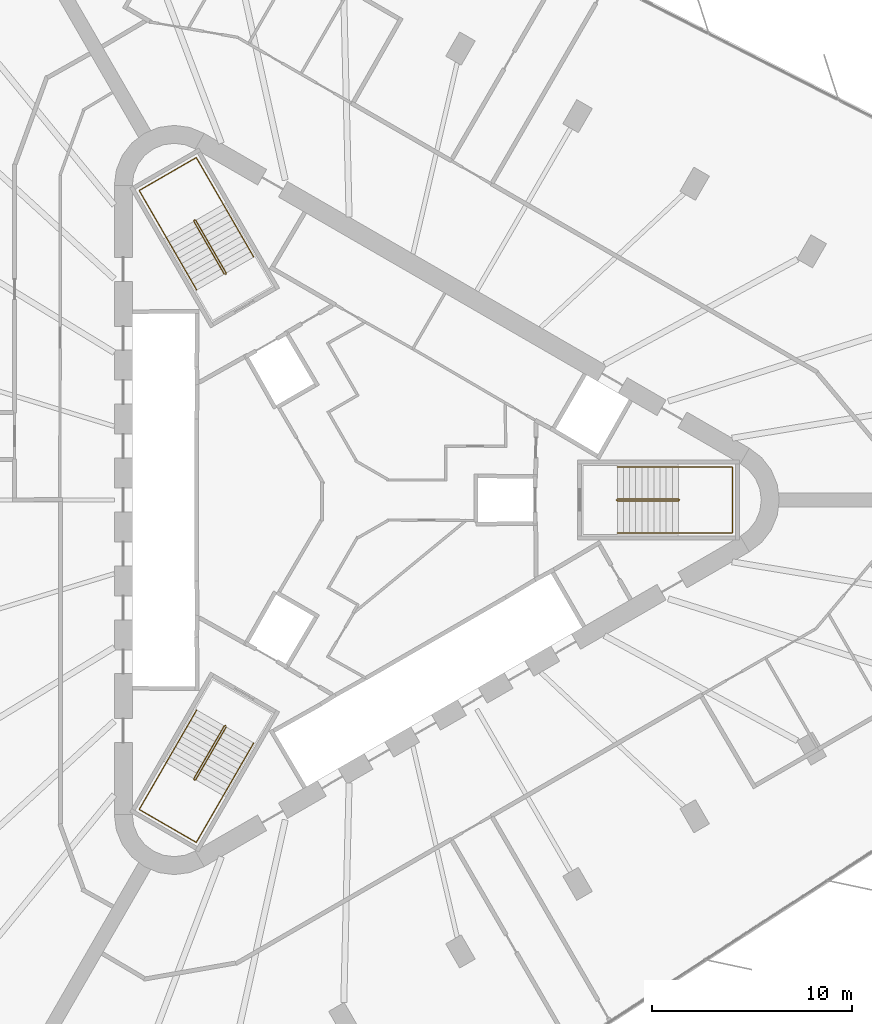
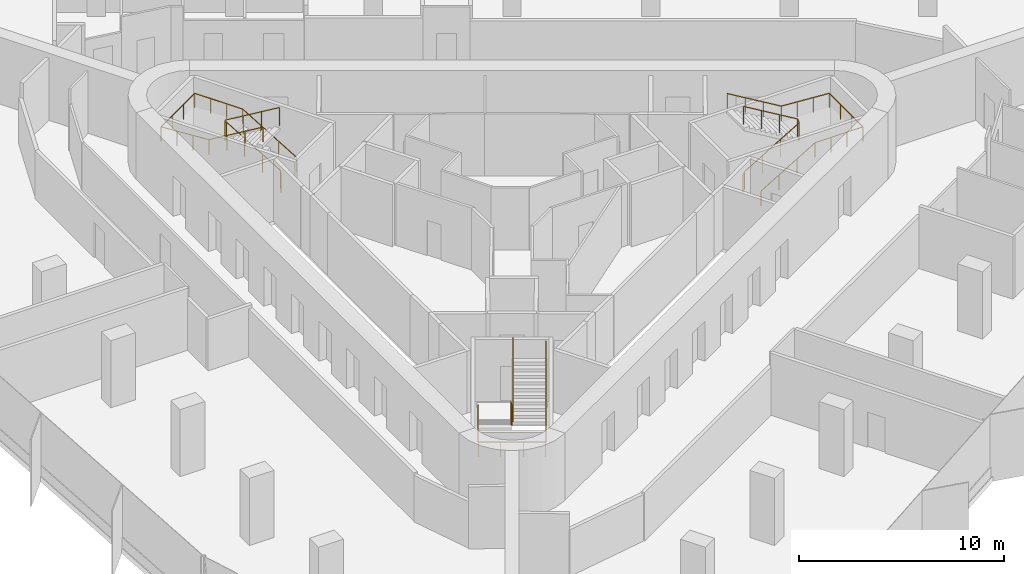
# One storey, part 14 of 14: 6 railings.
"""IFC4 building model written with IfcOpenShell, lengths in metres."""

from ifc_helpers import new_model, si_unit, direction, frame, origin, origin_2d, place, context, subcontext, project, spatial, circle, extrude, material, type_object, element, save


model = new_model("IFC4")

# Units and contexts
model_context = context("Model", 3, precision=1e-05, world=origin(), true_north=direction((0.0, 1.0)))
body_context = subcontext(model_context, "Body", "Model", "MODEL_VIEW")
ifc_project = project(units=[si_unit("LENGTHUNIT", "METRE"), si_unit("AREAUNIT", "SQUARE_METRE"), si_unit("VOLUMEUNIT", "CUBIC_METRE"), si_unit("PLANEANGLEUNIT", "RADIAN"), si_unit("MASSUNIT", "GRAM", prefix="KILO")], contexts=[model_context])

# Site, building, storey
site_placement = place(None, origin())
site = spatial("IfcSite", under=ifc_project, at=site_placement, CompositionType="ELEMENT")
building_placement = place(site_placement, origin())
building = spatial("IfcBuilding", under=site, at=building_placement, Name="Tanit Gate Tower", CompositionType="ELEMENT")
storey_placement = place(building_placement, frame((0.0, 0.0, 213.199951171875)))
storey = spatial("IfcBuildingStorey", under=building, at=storey_placement, Name="L47", CompositionType="ELEMENT", Elevation=213.199951171875)

# Railings
ifc_material_1 = material(Name="Stainless steel balustrade", Category="steel")
railing_type_1 = type_object("IfcRailingType", Name="INT-STAIR-GUARD", PredefinedType="GUARDRAIL", material=ifc_material_1)
railing_1_placement = place(storey_placement, frame((13.044921875, 0.0048828125, 0.0)))
element("IfcRailing", 1, at=railing_1_placement, inside=storey, type_object=railing_type_1, Name="L47 S1 stair guard 1", PredefinedType="GUARDRAIL", context=body_context, shape_type="SweptSolid", body=[
    extrude(circle(Radius=0.02392578125, at=origin_2d()), frame((0.0, 0.0, 1.076171875), z_axis=(0.0, -1.0, 0.0), x_axis=(1.0, 0.0, 0.0)), (0.0, 0.0, 1.0), 0.009765625),
    extrude(circle(Radius=0.02392578125, at=origin_2d()), frame((0.0, -0.009765625, 1.076171875), z_axis=(0.256435381639, -0.256435381639, 0.931923704005), x_axis=(0.707106781187, 0.707106781187, 0.0)), (0.0, 0.0, 1.0), 0.195068359375),
    extrude(circle(Radius=0.02392578125, at=origin_2d()), frame((0.050048828125, -0.059814453125, 1.2578125), z_axis=(0.859041732319, 0.0, 0.511905559781), x_axis=(0.0, 1.0, 0.0)), (0.0, 0.0, 1.0), 3.5517578125),
    extrude(circle(Radius=0.02392578125, at=origin_2d()), frame((3.10107421875, -0.059814453125, 3.076171875), z_axis=(0.707106781187, 0.707106781187, 0.0), x_axis=(-0.707106781187, 0.707106781187, 0.0)), (0.0, 0.0, 1.0), 0.07080078125),
    extrude(circle(Radius=0.02392578125, at=origin_2d()), frame((3.151123046875, -0.009765625, 3.076171875), z_axis=(0.0, 1.0, 0.0), x_axis=(-1.0, 0.0, 0.0)), (0.0, 0.0, 1.0), 0.009765625),
    extrude(circle(Radius=0.02392578125, at=origin_2d()), frame((3.151123046875, 0.0, 3.076171875), z_axis=(-0.256435381639, 0.256435381639, 0.931923704005), x_axis=(-0.707106781187, -0.707106781187, 0.0)), (0.0, 0.0, 1.0), 0.195068359375),
    extrude(circle(Radius=0.02392578125, at=origin_2d()), frame((3.10107421875, 0.050048828125, 3.2578125), z_axis=(-0.859041732319, 0.0, 0.511905559781), x_axis=(0.0, -1.0, 0.0)), (0.0, 0.0, 1.0), 3.5517578125),
    extrude(circle(Radius=0.02099609375, at=origin_2d()), origin(), (0.0, 0.0, 1.0), 1.052001953125),
    extrude(circle(Radius=0.02099609375, at=origin_2d()), frame((0.0, -0.009765625, 0.0)), (0.0, 0.0, 1.0), 1.052001953125),
    extrude(circle(Radius=0.02099609375, at=origin_2d()), frame((0.050048828125, -0.059814453125, 0.181884765625)), (0.0, 0.0, 1.0), 1.052001953125),
    extrude(circle(Radius=0.02099609375, at=origin_2d()), frame((1.067138671875, -0.059814453125, 0.787841796875)), (0.0, 0.0, 1.0), 1.052001953125),
    extrude(circle(Radius=0.02099609375, at=origin_2d()), frame((2.083984375, -0.059814453125, 1.39404296875)), (0.0, 0.0, 1.0), 1.052001953125),
    extrude(circle(Radius=0.02099609375, at=origin_2d()), frame((3.10107421875, -0.059814453125, 2.0)), (0.0, 0.0, 1.0), 1.052001953125),
    extrude(circle(Radius=0.02099609375, at=origin_2d()), frame((3.151123046875, -0.009765625, 2.0)), (0.0, 0.0, 1.0), 1.052001953125),
    extrude(circle(Radius=0.02099609375, at=origin_2d()), frame((3.151123046875, 0.0, 2.0)), (0.0, 0.0, 1.0), 1.052001953125),
    extrude(circle(Radius=0.02099609375, at=origin_2d()), frame((3.10107421875, 0.050048828125, 2.181884765625)), (0.0, 0.0, 1.0), 1.052001953125),
    extrude(circle(Radius=0.02099609375, at=origin_2d()), frame((2.083984375, 0.050048828125, 2.787841796875)), (0.0, 0.0, 1.0), 1.052001953125),
    extrude(circle(Radius=0.02099609375, at=origin_2d()), frame((1.067138671875, 0.050048828125, 3.39404296875)), (0.0, 0.0, 1.0), 1.052001953125),
    extrude(circle(Radius=0.02099609375, at=origin_2d()), frame((0.050048828125, 0.050048828125, 4.0)), (0.0, 0.0, 1.0), 1.052001953125),
])
railing_2_placement = place(storey_placement, frame((-6.527099609375, 11.29345703125, 0.0)))
element("IfcRailing", 2, at=railing_2_placement, inside=storey, type_object=railing_type_1, Name="L47 S2 stair guard 1", PredefinedType="GUARDRAIL", context=body_context, shape_type="SweptSolid", body=[
    extrude(circle(Radius=0.02392578125, at=origin_2d()), frame((0.0, 0.0, 1.076171875), z_axis=(0.868243142124, 0.496138938357, 0.0), x_axis=(-0.496138938357, 0.868243142124, 0.0)), (0.0, 0.0, 1.0), 0.01171875),
    extrude(circle(Radius=0.02392578125, at=origin_2d()), frame((0.01025390625, 0.005859375, 1.076171875), z_axis=(0.093819657636, 0.350260055175, 0.93194193252), x_axis=(-0.965948051503, 0.258736085224, 0.0)), (0.0, 0.0, 1.0), 0.195068359375),
    extrude(circle(Radius=0.02392578125, at=origin_2d()), frame((0.028564453125, 0.07421875, 1.2578125), z_axis=(-0.429472220917, 0.743822504634, 0.512134448226), x_axis=(-0.866012246495, -0.500022788402, 0.0)), (0.0, 0.0, 1.0), 3.550048828125),
    extrude(circle(Radius=0.02392578125, at=origin_2d()), frame((-1.49609375, 2.71484375, 3.076171875), z_axis=(-0.965715946433, 0.259601060869, 0.0), x_axis=(-0.259601060869, -0.965715946433, 0.0)), (0.0, 0.0, 1.0), 0.070556640625),
    extrude(circle(Radius=0.02392578125, at=origin_2d()), frame((-1.564208984375, 2.733154296875, 3.076171875), z_axis=(-0.873197702015, -0.487366159264, 0.0), x_axis=(0.487366159264, -0.873197702015, 0.0)), (0.0, 0.0, 1.0), 0.011962890625),
    extrude(circle(Radius=0.02392578125, at=origin_2d()), frame((-1.57470703125, 2.727294921875, 3.076171875), z_axis=(-0.093819657636, -0.350260055175, 0.93194193252), x_axis=(0.965948051503, -0.258736085224, 0.0)), (0.0, 0.0, 1.0), 0.195068359375),
    extrude(circle(Radius=0.02392578125, at=origin_2d()), frame((-1.593017578125, 2.658935546875, 3.2578125), z_axis=(0.429472220917, -0.743822504634, 0.512134448226), x_axis=(0.866012246495, 0.500022788402, 0.0)), (0.0, 0.0, 1.0), 3.550048828125),
    extrude(circle(Radius=0.02099609375, at=origin_2d()), origin(), (0.0, 0.0, 1.0), 1.052001953125),
    extrude(circle(Radius=0.02099609375, at=origin_2d()), frame((0.01025390625, 0.005859375, 0.0)), (0.0, 0.0, 1.0), 1.052001953125),
    extrude(circle(Radius=0.02099609375, at=origin_2d()), frame((0.028564453125, 0.07421875, 0.181884765625)), (0.0, 0.0, 1.0), 1.052001953125),
    extrude(circle(Radius=0.02099609375, at=origin_2d()), frame((-0.479736328125, 0.954345703125, 0.787841796875)), (0.0, 0.0, 1.0), 1.052001953125),
    extrude(circle(Radius=0.02099609375, at=origin_2d()), frame((-0.98779296875, 1.834716796875, 1.39404296875)), (0.0, 0.0, 1.0), 1.052001953125),
    extrude(circle(Radius=0.02099609375, at=origin_2d()), frame((-1.49609375, 2.71484375, 2.0)), (0.0, 0.0, 1.0), 1.052001953125),
    extrude(circle(Radius=0.02099609375, at=origin_2d()), frame((-1.564208984375, 2.733154296875, 2.0)), (0.0, 0.0, 1.0), 1.052001953125),
    extrude(circle(Radius=0.02099609375, at=origin_2d()), frame((-1.57470703125, 2.727294921875, 2.0)), (0.0, 0.0, 1.0), 1.052001953125),
    extrude(circle(Radius=0.02099609375, at=origin_2d()), frame((-1.593017578125, 2.658935546875, 2.181884765625)), (0.0, 0.0, 1.0), 1.052001953125),
    extrude(circle(Radius=0.02099609375, at=origin_2d()), frame((-1.084716796875, 1.77880859375, 2.787841796875)), (0.0, 0.0, 1.0), 1.052001953125),
    extrude(circle(Radius=0.02099609375, at=origin_2d()), frame((-0.57666015625, 0.8984375, 3.39404296875)), (0.0, 0.0, 1.0), 1.052001953125),
    extrude(circle(Radius=0.02099609375, at=origin_2d()), frame((-0.068359375, 0.018310546875, 4.0)), (0.0, 0.0, 1.0), 1.052001953125),
])
railing_3_placement = place(storey_placement, frame((-6.51806640625, -11.2998046875, 0.0)))
element("IfcRailing", 3, at=railing_3_placement, inside=storey, type_object=railing_type_1, Name="L47 S3 stair guard 1", PredefinedType="GUARDRAIL", context=body_context, shape_type="SweptSolid", body=[
    extrude(circle(Radius=0.02392578125, at=origin_2d()), frame((0.0, 0.0, 1.076171875), z_axis=(-0.874157276122, 0.485642931179, 0.0), x_axis=(-0.485642931179, -0.874157276122, 0.0)), (0.0, 0.0, 1.0), 0.010009765625),
    extrude(circle(Radius=0.02392578125, at=origin_2d()), frame((-0.0087890625, 0.0048828125, 1.076171875), z_axis=(-0.350300895388, -0.092579522353, 0.932050596658), x_axis=(0.255512919477, -0.966805641264, 0.0)), (0.0, 0.0, 1.0), 0.195068359375),
    extrude(circle(Radius=0.02392578125, at=origin_2d()), frame((-0.0771484375, -0.01318359375, 1.2578125), z_axis=(-0.429486674828, -0.743971555965, 0.511905772639), x_axis=(0.866048339477, -0.499960272111, 0.0)), (0.0, 0.0, 1.0), 3.5517578125),
    extrude(circle(Radius=0.02392578125, at=origin_2d()), frame((-1.6025390625, -2.655517578125, 3.076171875), z_axis=(0.258736085224, -0.965948051503, 0.0), x_axis=(0.965948051503, 0.258736085224, 0.0)), (0.0, 0.0, 1.0), 0.07080078125),
    extrude(circle(Radius=0.02392578125, at=origin_2d()), frame((-1.584228515625, -2.723876953125, 3.076171875), z_axis=(0.868243142124, -0.496138938357, 0.0), x_axis=(0.496138938357, 0.868243142124, 0.0)), (0.0, 0.0, 1.0), 0.009765625),
    extrude(circle(Radius=0.02392578125, at=origin_2d()), frame((-1.57568359375, -2.728759765625, 3.076171875), z_axis=(0.350260055175, 0.093819657636, 0.93194193252), x_axis=(-0.258736085224, 0.965948051503, 0.0)), (0.0, 0.0, 1.0), 0.195068359375),
    extrude(circle(Radius=0.02392578125, at=origin_2d()), frame((-1.50732421875, -2.71044921875, 3.2578125), z_axis=(0.429564698942, 0.743918894535, 0.511916836777), x_axis=(-0.865993683553, 0.500054937028, 0.0)), (0.0, 0.0, 1.0), 3.551513671875),
    extrude(circle(Radius=0.02099609375, at=origin_2d()), origin(), (0.0, 0.0, 1.0), 1.052001953125),
    extrude(circle(Radius=0.02099609375, at=origin_2d()), frame((-0.0087890625, 0.0048828125, 0.0)), (0.0, 0.0, 1.0), 1.052001953125),
    extrude(circle(Radius=0.02099609375, at=origin_2d()), frame((-0.0771484375, -0.01318359375, 0.181884765625)), (0.0, 0.0, 1.0), 1.052001953125),
    extrude(circle(Radius=0.02099609375, at=origin_2d()), frame((-0.585693359375, -0.89404296875, 0.787841796875)), (0.0, 0.0, 1.0), 1.052001953125),
    extrude(circle(Radius=0.02099609375, at=origin_2d()), frame((-1.093994140625, -1.774658203125, 1.39404296875)), (0.0, 0.0, 1.0), 1.052001953125),
    extrude(circle(Radius=0.02099609375, at=origin_2d()), frame((-1.6025390625, -2.655517578125, 2.0)), (0.0, 0.0, 1.0), 1.052001953125),
    extrude(circle(Radius=0.02099609375, at=origin_2d()), frame((-1.584228515625, -2.723876953125, 2.0)), (0.0, 0.0, 1.0), 1.052001953125),
    extrude(circle(Radius=0.02099609375, at=origin_2d()), frame((-1.57568359375, -2.728759765625, 2.0)), (0.0, 0.0, 1.0), 1.052001953125),
    extrude(circle(Radius=0.02099609375, at=origin_2d()), frame((-1.50732421875, -2.71044921875, 2.181884765625)), (0.0, 0.0, 1.0), 1.052001953125),
    extrude(circle(Radius=0.02099609375, at=origin_2d()), frame((-0.998779296875, -1.829833984375, 2.787841796875)), (0.0, 0.0, 1.0), 1.052001953125),
    extrude(circle(Radius=0.02099609375, at=origin_2d()), frame((-0.490234375, -0.948974609375, 3.39404296875)), (0.0, 0.0, 1.0), 1.052001953125),
    extrude(circle(Radius=0.02099609375, at=origin_2d()), frame((0.018310546875, -0.068359375, 4.0)), (0.0, 0.0, 1.0), 1.052001953125),
])
ifc_material_2 = material(Name="Stainless steel handrail", Category="steel")
railing_type_2 = type_object("IfcRailingType", Name="INT-STAIR-HANDRAIL", PredefinedType="HANDRAIL", material=ifc_material_2)
railing_4_placement = place(storey_placement, frame((13.094970703125, -1.64990234375, 0.181884765625)))
element("IfcRailing", 4, at=railing_4_placement, inside=storey, type_object=railing_type_2, Name="L47 S1 stair handrail 1", PredefinedType="HANDRAIL", context=body_context, shape_type="SweptSolid", body=[
    extrude(circle(Radius=0.02392578125, at=origin_2d()), frame((0.0, 0.0, 0.8759765625), z_axis=(0.859041732319, 0.0, 0.511905559781), x_axis=(0.0, 1.0, 0.0)), (0.0, 0.0, 1.0), 3.5517578125),
    extrude(circle(Radius=0.02392578125, at=origin_2d()), frame((3.051025390625, 0.0, 2.69384765625), z_axis=(1.0, 0.0, 0.0), x_axis=(0.0, 1.0, 0.0)), (0.0, 0.0, 1.0), 2.7041015625),
    extrude(circle(Radius=0.02392578125, at=origin_2d()), frame((5.755126953125, 0.0, 2.69384765625), z_axis=(0.0, 1.0, 0.0), x_axis=(-1.0, 0.0, 0.0)), (0.0, 0.0, 1.0), 3.2998046875),
    extrude(circle(Radius=0.02392578125, at=origin_2d()), frame((5.755126953125, 3.2998046875, 2.69384765625), z_axis=(-0.997745521698, 0.0, 0.067110907698), x_axis=(0.0, -1.0, 0.0)), (0.0, 0.0, 1.0), 2.710205078125),
    extrude(circle(Radius=0.02392578125, at=origin_2d()), frame((3.051025390625, 3.2998046875, 2.8759765625), z_axis=(-0.859041732319, 0.0, 0.511905559781), x_axis=(0.0, -1.0, 0.0)), (0.0, 0.0, 1.0), 3.5517578125),
    extrude(circle(Radius=0.02099609375, at=origin_2d()), origin(), (0.0, 0.0, 1.0), 0.851806640625),
    extrude(circle(Radius=0.02099609375, at=origin_2d()), frame((1.01708984375, 0.0, 0.60595703125)), (0.0, 0.0, 1.0), 0.851806640625),
    extrude(circle(Radius=0.02099609375, at=origin_2d()), frame((2.033935546875, 0.0, 1.212158203125)), (0.0, 0.0, 1.0), 0.851806640625),
    extrude(circle(Radius=0.02099609375, at=origin_2d()), frame((3.051025390625, 0.0, 1.818115234375)), (0.0, 0.0, 1.0), 0.851806640625),
    extrude(circle(Radius=0.02099609375, at=origin_2d()), frame((3.952392578125, 0.0, 1.818115234375)), (0.0, 0.0, 1.0), 0.851806640625),
    extrude(circle(Radius=0.02099609375, at=origin_2d()), frame((4.853759765625, 0.0, 1.818115234375)), (0.0, 0.0, 1.0), 0.851806640625),
    extrude(circle(Radius=0.02099609375, at=origin_2d()), frame((5.755126953125, 0.0, 1.818115234375)), (0.0, 0.0, 1.0), 0.851806640625),
    extrude(circle(Radius=0.02099609375, at=origin_2d()), frame((5.755126953125, 1.099853515625, 1.818115234375)), (0.0, 0.0, 1.0), 0.851806640625),
    extrude(circle(Radius=0.02099609375, at=origin_2d()), frame((5.755126953125, 2.199951171875, 1.818115234375)), (0.0, 0.0, 1.0), 0.851806640625),
    extrude(circle(Radius=0.02099609375, at=origin_2d()), frame((5.755126953125, 3.2998046875, 1.818115234375)), (0.0, 0.0, 1.0), 0.851806640625),
    extrude(circle(Radius=0.02099609375, at=origin_2d()), frame((4.853759765625, 3.2998046875, 1.878662109375)), (0.0, 0.0, 1.0), 0.851806640625),
    extrude(circle(Radius=0.02099609375, at=origin_2d()), frame((3.952392578125, 3.2998046875, 1.939453125)), (0.0, 0.0, 1.0), 0.851806640625),
    extrude(circle(Radius=0.02099609375, at=origin_2d()), frame((3.051025390625, 3.2998046875, 2.0)), (0.0, 0.0, 1.0), 0.851806640625),
    extrude(circle(Radius=0.02099609375, at=origin_2d()), frame((2.033935546875, 3.2998046875, 2.60595703125)), (0.0, 0.0, 1.0), 0.851806640625),
    extrude(circle(Radius=0.02099609375, at=origin_2d()), frame((1.01708984375, 3.2998046875, 3.212158203125)), (0.0, 0.0, 1.0), 0.851806640625),
    extrude(circle(Radius=0.02099609375, at=origin_2d()), frame((0.0, 3.2998046875, 3.818115234375)), (0.0, 0.0, 1.0), 0.851806640625),
])
railing_5_placement = place(storey_placement, frame((-5.1181640625, 12.164794921875, 0.181884765625)))
element("IfcRailing", 5, at=railing_5_placement, inside=storey, type_object=railing_type_2, Name="L47 S2 stair handrail 1", PredefinedType="HANDRAIL", context=body_context, shape_type="SweptSolid", body=[
    extrude(circle(Radius=0.02392578125, at=origin_2d()), frame((0.0, 0.0, 0.8759765625), z_axis=(-0.429416132344, 0.743844472684, 0.512149573602), x_axis=(-0.866046917185, -0.499962735845, 0.0)), (0.0, 0.0, 1.0), 3.550048828125),
    extrude(circle(Radius=0.02392578125, at=origin_2d()), frame((-1.5244140625, 2.640625, 2.69384765625), z_axis=(-0.500019123664, 0.86601436245, 0.0), x_axis=(-0.86601436245, -0.500019123664, 0.0)), (0.0, 0.0, 1.0), 2.70703125),
    extrude(circle(Radius=0.02392578125, at=origin_2d()), frame((-2.8779296875, 4.98486328125, 2.69384765625), z_axis=(-0.866008176907, -0.50002983664, 0.0), x_axis=(0.50002983664, -0.866008176907, 0.0)), (0.0, 0.0, 1.0), 3.300048828125),
    extrude(circle(Radius=0.02392578125, at=origin_2d()), frame((-5.73583984375, 3.334716796875, 2.69384765625), z_axis=(0.498932980467, -0.864043208057, 0.067046369128), x_axis=(0.865991810323, 0.500058181068, 0.0)), (0.0, 0.0, 1.0), 2.712890625),
    extrude(circle(Radius=0.02392578125, at=origin_2d()), frame((-4.38232421875, 0.99072265625, 2.8759765625), z_axis=(0.429450252752, -0.743853224023, 0.512108251761), x_axis=(0.866032263162, 0.499988119021, 0.0)), (0.0, 0.0, 1.0), 3.55029296875),
    extrude(circle(Radius=0.02099609375, at=origin_2d()), origin(), (0.0, 0.0, 1.0), 0.851806640625),
    extrude(circle(Radius=0.02099609375, at=origin_2d()), frame((-0.508056640625, 0.880126953125, 0.60595703125)), (0.0, 0.0, 1.0), 0.851806640625),
    extrude(circle(Radius=0.02099609375, at=origin_2d()), frame((-1.016357421875, 1.760498046875, 1.212158203125)), (0.0, 0.0, 1.0), 0.851806640625),
    extrude(circle(Radius=0.02099609375, at=origin_2d()), frame((-1.5244140625, 2.640625, 1.818115234375)), (0.0, 0.0, 1.0), 0.851806640625),
    extrude(circle(Radius=0.02099609375, at=origin_2d()), frame((-1.9755859375, 3.422119140625, 1.818115234375)), (0.0, 0.0, 1.0), 0.851806640625),
    extrude(circle(Radius=0.02099609375, at=origin_2d()), frame((-2.4267578125, 4.203369140625, 1.818115234375)), (0.0, 0.0, 1.0), 0.851806640625),
    extrude(circle(Radius=0.02099609375, at=origin_2d()), frame((-2.8779296875, 4.98486328125, 1.818115234375)), (0.0, 0.0, 1.0), 0.851806640625),
    extrude(circle(Radius=0.02099609375, at=origin_2d()), frame((-3.83056640625, 4.434814453125, 1.818115234375)), (0.0, 0.0, 1.0), 0.851806640625),
    extrude(circle(Radius=0.02099609375, at=origin_2d()), frame((-4.783203125, 3.884765625, 1.818115234375)), (0.0, 0.0, 1.0), 0.851806640625),
    extrude(circle(Radius=0.02099609375, at=origin_2d()), frame((-5.73583984375, 3.334716796875, 1.818115234375)), (0.0, 0.0, 1.0), 0.851806640625),
    extrude(circle(Radius=0.02099609375, at=origin_2d()), frame((-5.28466796875, 2.553466796875, 1.878662109375)), (0.0, 0.0, 1.0), 0.851806640625),
    extrude(circle(Radius=0.02099609375, at=origin_2d()), frame((-4.83349609375, 1.77197265625, 1.939453125)), (0.0, 0.0, 1.0), 0.851806640625),
    extrude(circle(Radius=0.02099609375, at=origin_2d()), frame((-4.38232421875, 0.99072265625, 2.0)), (0.0, 0.0, 1.0), 0.851806640625),
    extrude(circle(Radius=0.02099609375, at=origin_2d()), frame((-3.8740234375, 0.1103515625, 2.60595703125)), (0.0, 0.0, 1.0), 0.851806640625),
    extrude(circle(Radius=0.02099609375, at=origin_2d()), frame((-3.365966796875, -0.769775390625, 3.212158203125)), (0.0, 0.0, 1.0), 0.851806640625),
    extrude(circle(Radius=0.02099609375, at=origin_2d()), frame((-2.857666015625, -1.650146484375, 3.818115234375)), (0.0, 0.0, 1.0), 0.851806640625),
])
railing_6_placement = place(storey_placement, frame((-7.9765625, -10.515625, 0.181884765625)))
element("IfcRailing", 6, at=railing_6_placement, inside=storey, type_object=railing_type_2, Name="L47 S3 stair handrail 1", PredefinedType="HANDRAIL", context=body_context, shape_type="SweptSolid", body=[
    extrude(circle(Radius=0.02392578125, at=origin_2d()), frame((0.0, 0.0, 0.8759765625), z_axis=(-0.429486674828, -0.743971555965, 0.511905772639), x_axis=(0.866048339477, -0.499960272111, 0.0)), (0.0, 0.0, 1.0), 3.5517578125),
    extrude(circle(Radius=0.02392578125, at=origin_2d()), frame((-1.525390625, -2.642333984375, 2.69384765625), z_axis=(-0.50004290449, -0.866000631449, 0.0), x_axis=(0.866000631449, -0.50004290449, 0.0)), (0.0, 0.0, 1.0), 2.703857421875),
    extrude(circle(Radius=0.02392578125, at=origin_2d()), frame((-2.87744140625, -4.98388671875, 2.69384765625), z_axis=(0.866008176907, -0.50002983664, 0.0), x_axis=(0.50002983664, 0.866008176907, 0.0)), (0.0, 0.0, 1.0), 3.300048828125),
    extrude(circle(Radius=0.02392578125, at=origin_2d()), frame((-0.01953125, -6.634033203125, 2.69384765625), z_axis=(0.498876541924, 0.864070745781, 0.067111416348), x_axis=(-0.866023205937, 0.500003806764, 0.0)), (0.0, 0.0, 1.0), 2.710205078125),
    extrude(circle(Radius=0.02392578125, at=origin_2d()), frame((1.33251953125, -4.292236328125, 2.8759765625), z_axis=(0.429486674828, 0.743971555965, 0.511905772639), x_axis=(-0.866048339477, 0.499960272111, 0.0)), (0.0, 0.0, 1.0), 3.5517578125),
    extrude(circle(Radius=0.02099609375, at=origin_2d()), origin(), (0.0, 0.0, 1.0), 0.851806640625),
    extrude(circle(Radius=0.02099609375, at=origin_2d()), frame((-0.508544921875, -0.880859375, 0.60595703125)), (0.0, 0.0, 1.0), 0.851806640625),
    extrude(circle(Radius=0.02099609375, at=origin_2d()), frame((-1.016845703125, -1.761474609375, 1.212158203125)), (0.0, 0.0, 1.0), 0.851806640625),
    extrude(circle(Radius=0.02099609375, at=origin_2d()), frame((-1.525390625, -2.642333984375, 1.818115234375)), (0.0, 0.0, 1.0), 0.851806640625),
    extrude(circle(Radius=0.02099609375, at=origin_2d()), frame((-1.97607421875, -3.4228515625, 1.818115234375)), (0.0, 0.0, 1.0), 0.851806640625),
    extrude(circle(Radius=0.02099609375, at=origin_2d()), frame((-2.4267578125, -4.203369140625, 1.818115234375)), (0.0, 0.0, 1.0), 0.851806640625),
    extrude(circle(Radius=0.02099609375, at=origin_2d()), frame((-2.87744140625, -4.98388671875, 1.818115234375)), (0.0, 0.0, 1.0), 0.851806640625),
    extrude(circle(Radius=0.02099609375, at=origin_2d()), frame((-1.9248046875, -5.533935546875, 1.818115234375)), (0.0, 0.0, 1.0), 0.851806640625),
    extrude(circle(Radius=0.02099609375, at=origin_2d()), frame((-0.97216796875, -6.083984375, 1.818115234375)), (0.0, 0.0, 1.0), 0.851806640625),
    extrude(circle(Radius=0.02099609375, at=origin_2d()), frame((-0.01953125, -6.634033203125, 1.818115234375)), (0.0, 0.0, 1.0), 0.851806640625),
    extrude(circle(Radius=0.02099609375, at=origin_2d()), frame((0.43115234375, -5.853515625, 1.878662109375)), (0.0, 0.0, 1.0), 0.851806640625),
    extrude(circle(Radius=0.02099609375, at=origin_2d()), frame((0.8818359375, -5.07275390625, 1.939453125)), (0.0, 0.0, 1.0), 0.851806640625),
    extrude(circle(Radius=0.02099609375, at=origin_2d()), frame((1.33251953125, -4.292236328125, 2.0)), (0.0, 0.0, 1.0), 0.851806640625),
    extrude(circle(Radius=0.02099609375, at=origin_2d()), frame((1.841064453125, -3.411376953125, 2.60595703125)), (0.0, 0.0, 1.0), 0.851806640625),
    extrude(circle(Radius=0.02099609375, at=origin_2d()), frame((2.349365234375, -2.53076171875, 3.212158203125)), (0.0, 0.0, 1.0), 0.851806640625),
    extrude(circle(Radius=0.02099609375, at=origin_2d()), frame((2.85791015625, -1.64990234375, 3.818115234375)), (0.0, 0.0, 1.0), 0.851806640625),
])

save(model, "model.ifc")
